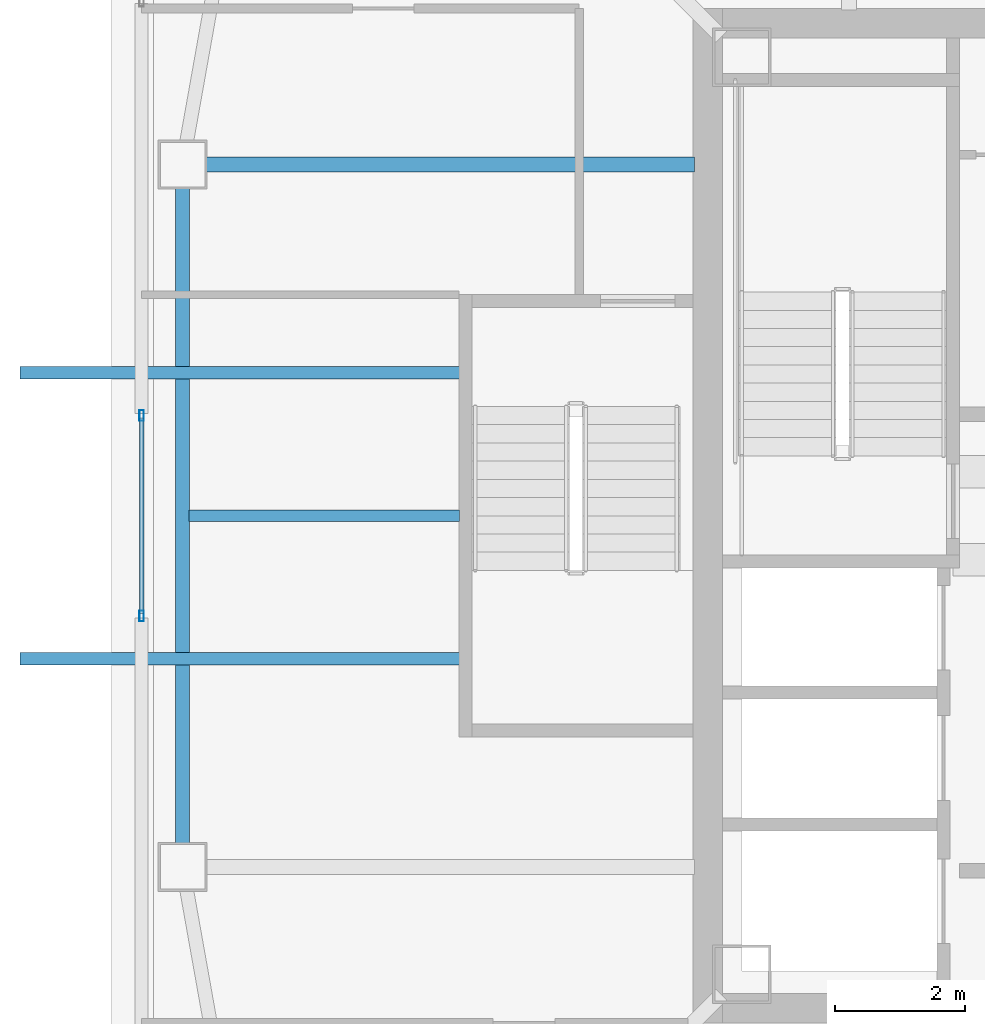
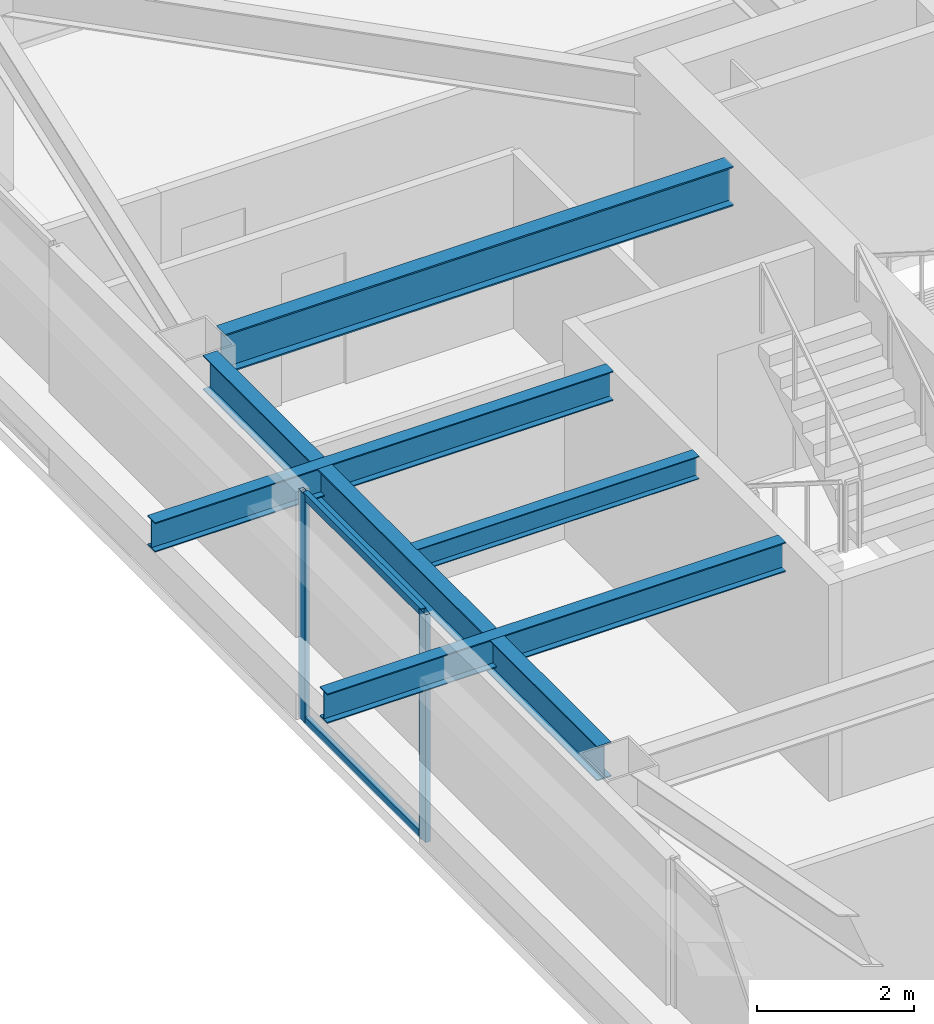
# One storey, part 9 of 44: 5 beams, 4 members, 1 element without a shape of its own.
"""IFC4 building model written with IfcOpenShell, lengths in metres."""

from ifc_helpers import new_model, si_unit, direction, frame, origin, origin_2d, place, context, subcontext, project, spatial, hollow_rectangle, i_section, extrude, material, material_profile, profile_set, type_object, element, aggregate, save


model = new_model("IFC4")

# Units and contexts
model_context = context("Model", 3, precision=1e-05, world=origin(), true_north=direction((0.0, 1.0)))
body_context = subcontext(model_context, "Body", "Model", "MODEL_VIEW")
ifc_project = project(units=[si_unit("LENGTHUNIT", "METRE"), si_unit("AREAUNIT", "SQUARE_METRE"), si_unit("VOLUMEUNIT", "CUBIC_METRE"), si_unit("PLANEANGLEUNIT", "RADIAN"), si_unit("MASSUNIT", "GRAM", prefix="KILO")], contexts=[model_context])

# Site, building, storey
site_placement = place(None, origin())
site = spatial("IfcSite", under=ifc_project, at=site_placement, CompositionType="ELEMENT")
building_placement = place(site_placement, origin())
building = spatial("IfcBuilding", under=site, at=building_placement, Name="Tashvorn Skyway Center", CompositionType="ELEMENT")
storey_placement = place(building_placement, frame((0.0, 0.0, 211.300048828125)))
storey = spatial("IfcBuildingStorey", under=building, at=storey_placement, Name="L57", CompositionType="ELEMENT", Elevation=211.300048828125)

# Beams
ifc_material_1 = material(Name="Steel ASTM A992 Grade 50", Category="steel")
ifc_material_profile_1 = material_profile(ifc_material_1, i_section(OverallWidth=0.22998046875, OverallDepth=0.616943359375, WebThickness=0.01318359375, FlangeThickness=0.022216796875, at=origin_2d()), Name="W24X94")
ifc_profile_set_1 = profile_set([ifc_material_profile_1], Name="Steel ASTM A992 Grade 50")
beam_type_1 = type_object("IfcBeamType", Name="BM-BEAM-W24X94", PredefinedType="BEAM", material=ifc_profile_set_1)
beam_1_placement = place(storey_placement, frame((26.719970703125, 37.39990234375, 3.0615234375), z_axis=(1.0, 0.0, 0.0), x_axis=(0.0, 1.0, 0.0)))
element("IfcBeam", 1, at=beam_1_placement, inside=storey, type_object=beam_type_1, Name="Tower 1 L57 Primary Floor Girder FC-W1", PredefinedType="BEAM", context=body_context, shape_type="SweptSolid", body=[
    extrude(i_section(OverallWidth=0.22998046875, OverallDepth=0.616943359375, WebThickness=0.01318359375, FlangeThickness=0.022216796875, at=origin_2d()), origin(), (0.0, 0.0, 1.0), 7.5),
])
ifc_material_profile_2 = material_profile(ifc_material_1, i_section(OverallWidth=0.1708984375, OverallDepth=0.35498046875, WebThickness=0.007080078125, FlangeThickness=0.01171875, at=origin_2d()), Name="W14X34")
ifc_profile_set_2 = profile_set([ifc_material_profile_2], Name="Steel ASTM A992 Grade 50")
beam_type_2 = type_object("IfcBeamType", Name="BM-JOIST-W14X34", PredefinedType="JOIST", material=ifc_profile_set_2)
beam_2_placement = place(storey_placement, frame((30.610107421875, 32.0, 3.1923828125), z_axis=(-1.0, 0.0, 0.0), x_axis=(0.0, -1.0, 0.0)))
element("IfcBeam", 2, at=beam_2_placement, inside=storey, type_object=beam_type_2, Name="Tower 1 L57 Secondary Composite Joist JW", PredefinedType="JOIST", context=body_context, shape_type="SweptSolid", body=[
    extrude(i_section(OverallWidth=0.1708984375, OverallDepth=0.35498046875, WebThickness=0.007080078125, FlangeThickness=0.01171875, at=origin_2d()), origin(), (0.0, 0.0, 1.0), 4.16259765625),
])
ifc_material_profile_3 = material_profile(ifc_material_1, i_section(OverallWidth=0.19091796875, OverallDepth=0.4599609375, WebThickness=0.010009765625, FlangeThickness=0.01611328125, at=origin_2d()), Name="W18X55")
ifc_profile_set_3 = profile_set([ifc_material_profile_3], Name="Steel ASTM A992 Grade 50")
beam_type_3 = type_object("IfcBeamType", Name="BM-JOIST-W18X55", PredefinedType="JOIST", material=ifc_profile_set_3)
for number, where, z_axis, x_axis, name in (
    (3, (30.610107421875, 29.800048828125, 3.139892578125), (-1.0, 0.0, 0.0), (0.0, -1.0, 0.0), "Tower 1 L58 Terrace Cantilever Outlooker 1"),
    (4, (30.610107421875, 34.199951171875, 3.139892578125), (-1.0, 0.0, 0.0), (0.0, -1.0, 0.0), "Tower 1 L58 Terrace Cantilever Outlooker 2"),
):
    element("IfcBeam", number, at=place(storey_placement, frame(where, z_axis=z_axis, x_axis=x_axis)), inside=storey, type_object=beam_type_3, Name=name, PredefinedType="JOIST", context=body_context, shape_type="SweptSolid", body=[
        extrude(i_section(OverallWidth=0.19091796875, OverallDepth=0.4599609375, WebThickness=0.010009765625, FlangeThickness=0.01611328125, at=origin_2d()), origin(), (0.0, 0.0, 1.0), 6.760009765625),
    ])
ifc_material_profile_4 = material_profile(ifc_material_1, i_section(OverallWidth=0.2109375, OverallDepth=0.5390625, WebThickness=0.01171875, FlangeThickness=0.018798828125, at=origin_2d()), Name="W21X73")
ifc_profile_set_4 = profile_set([ifc_material_profile_4], Name="Steel ASTM A992 Grade 50")
beam_type_4 = type_object("IfcBeamType", Name="BM-SPANDREL-W21X73", PredefinedType="SPANDREL", material=ifc_profile_set_4)
beam_3_placement = place(storey_placement, frame((26.35009765625, 37.030029296875, 3.100341796875), z_axis=(0.0, -1.0, 0.0), x_axis=(1.0, 0.0, 0.0)))
element("IfcBeam", 5, at=beam_3_placement, inside=storey, type_object=beam_type_4, Name="Tower 1 L57 Spandrel Beam 11", PredefinedType="SPANDREL", context=body_context, shape_type="SweptSolid", body=[
    extrude(i_section(OverallWidth=0.2109375, OverallDepth=0.5390625, WebThickness=0.01171875, FlangeThickness=0.018798828125, at=origin_2d()), origin(), (0.0, 0.0, 1.0), 10.06005859375),
])

# Curtain wall, members
ifc_material_2 = material(Name="Thermally broken bronze-anodized aluminium 6063-T6", Category="aluminium")
curtain_wall_type = type_object("IfcCurtainWallType", Name="CW-CW-Z5", PredefinedType="NOTDEFINED", material=ifc_material_2)
curtain_wall_placement = place(storey_placement, origin())
curtain_wall = element("IfcCurtainWall", 6, at=curtain_wall_placement, inside=storey, type_object=curtain_wall_type, Name="Tower 1 L57 West Unitised Curtain Wall Glazing Group 2", PredefinedType="NOTDEFINED")
ifc_material_profile_5 = material_profile(ifc_material_2, hollow_rectangle(XDim=0.070068359375, YDim=0.1650390625, WallThickness=0.00390625, at=origin_2d()), Name="ALU-MULL-70x165")
ifc_profile_set_5 = profile_set([ifc_material_profile_5], Name="Thermally broken bronze-anodized aluminium 6063-T6")
member_type_1 = type_object("IfcMemberType", Name="CWM-CW-Z5", PredefinedType="MULLION", material=ifc_profile_set_5)
member_1_placement = place(storey_placement, frame((25.719970703125, 30.45947265625, 0.0), z_axis=(0.0, 0.0, 1.0), x_axis=(-1.0, 0.0, 0.0)))
member_1 = element("IfcMember", 7, at=member_1_placement, type_object=member_type_1, Name="CW-Z5 mullion 1", PredefinedType="MULLION", context=body_context, shape_type="SweptSolid", body=[
    extrude(hollow_rectangle(XDim=0.070068359375, YDim=0.1650390625, WallThickness=0.00390625, at=origin_2d()), origin(), (0.0, 0.0, 1.0), 3.550048828125),
])
member_2_placement = place(storey_placement, frame((25.719970703125, 33.54052734375, 0.0), z_axis=(0.0, 0.0, 1.0), x_axis=(-1.0, 0.0, 0.0)))
member_2 = element("IfcMember", 8, at=member_2_placement, type_object=member_type_1, Name="CW-Z5 mullion 2", PredefinedType="MULLION", context=body_context, shape_type="SweptSolid", body=[
    extrude(hollow_rectangle(XDim=0.070068359375, YDim=0.1650390625, WallThickness=0.00390625, at=origin_2d()), origin(), (0.0, 0.0, 1.0), 3.550048828125),
])
ifc_material_profile_6 = material_profile(ifc_material_2, hollow_rectangle(XDim=0.070068359375, YDim=0.114990234375, WallThickness=0.00390625, at=origin_2d()), Name="ALU-TRAN-70x115")
ifc_profile_set_6 = profile_set([ifc_material_profile_6], Name="Thermally broken bronze-anodized aluminium 6063-T6")
member_type_2 = type_object("IfcMemberType", Name="CWT-CW-Z5", PredefinedType="USERDEFINED", material=ifc_profile_set_6)
member_3_placement = place(storey_placement, frame((25.719970703125, 30.494384765625, 0.034912109375), z_axis=(0.0, 1.0, 0.0), x_axis=(-1.0, 0.0, 0.0)))
member_3 = element("IfcMember", 9, at=member_3_placement, type_object=member_type_2, Name="CW-Z5 transom 1.1", ObjectType="TRANSOM", PredefinedType="USERDEFINED", context=body_context, shape_type="SweptSolid", body=[
    extrude(hollow_rectangle(XDim=0.070068359375, YDim=0.114990234375, WallThickness=0.00390625, at=origin_2d()), origin(), (0.0, 0.0, 1.0), 3.01123046875),
])
member_4_placement = place(storey_placement, frame((25.719970703125, 30.494384765625, 3.514892578125), z_axis=(0.0, 1.0, 0.0), x_axis=(-1.0, 0.0, 0.0)))
member_4 = element("IfcMember", 10, at=member_4_placement, type_object=member_type_2, Name="CW-Z5 transom 1.2", ObjectType="TRANSOM", PredefinedType="USERDEFINED", context=body_context, shape_type="SweptSolid", body=[
    extrude(hollow_rectangle(XDim=0.070068359375, YDim=0.114990234375, WallThickness=0.00390625, at=origin_2d()), origin(), (0.0, 0.0, 1.0), 3.01123046875),
])
aggregate(curtain_wall, [member_1, member_2, member_3, member_4])

save(model, "model.ifc")
